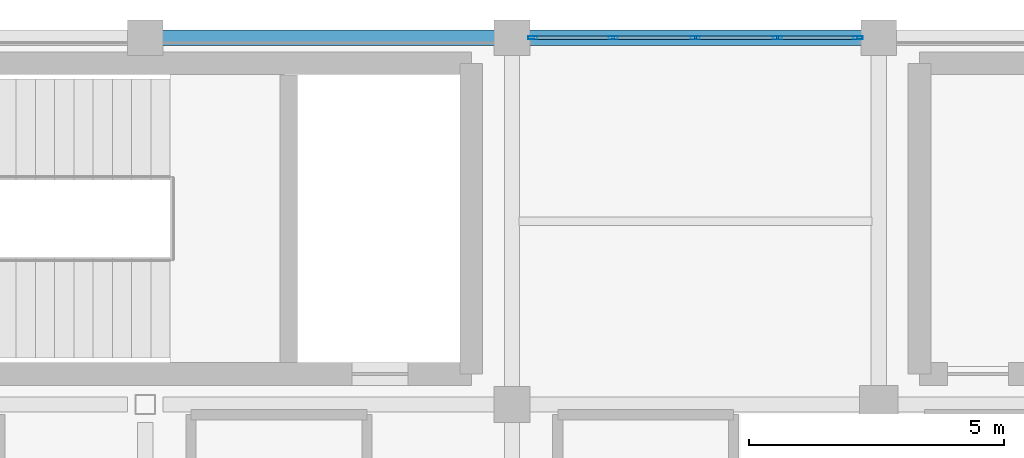
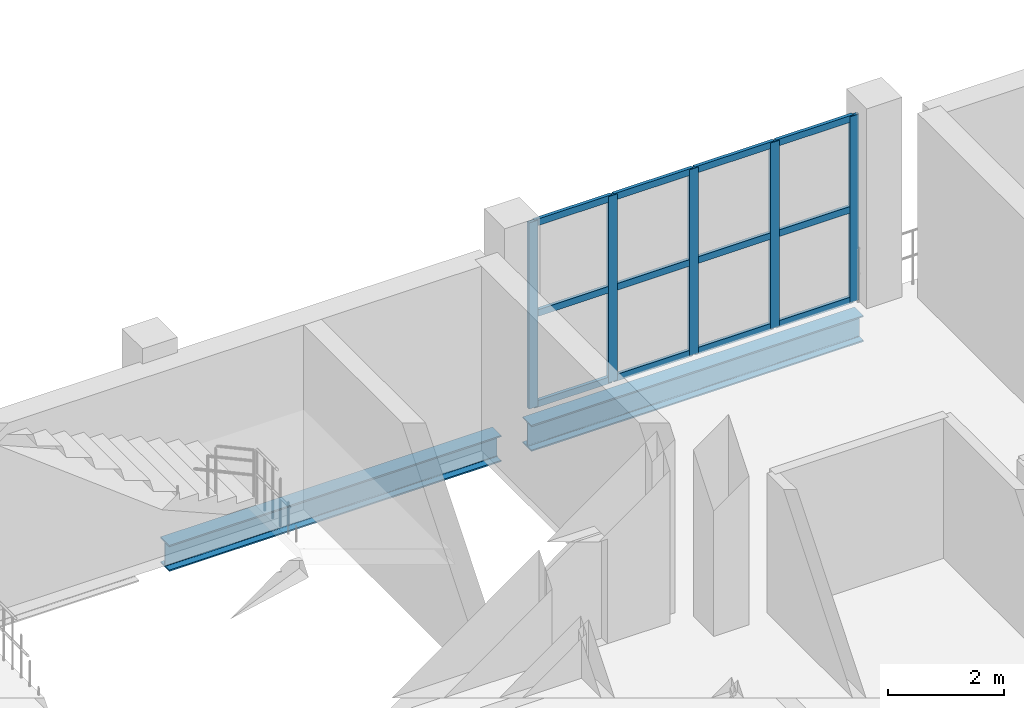
# One storey, part 86 of 130: 17 members, 2 beams, 1 element without a shape of its own.
"""IFC4 building model written with IfcOpenShell, lengths in metres."""

from ifc_helpers import new_model, si_unit, direction, frame, origin, origin_2d, place, context, subcontext, project, spatial, hollow_rectangle, i_section, extrude, material, material_profile, profile_set, type_object, element, aggregate, save


model = new_model("IFC4")

# Units and contexts
model_context = context("Model", 3, precision=1e-05, world=origin(), true_north=direction((0.0, 1.0)))
body_context = subcontext(model_context, "Body", "Model", "MODEL_VIEW")
ifc_project = project(units=[si_unit("LENGTHUNIT", "METRE"), si_unit("AREAUNIT", "SQUARE_METRE"), si_unit("VOLUMEUNIT", "CUBIC_METRE"), si_unit("PLANEANGLEUNIT", "RADIAN"), si_unit("MASSUNIT", "GRAM", prefix="KILO")], contexts=[model_context])

# Site, building, storey
site_placement = place(None, origin())
site = spatial("IfcSite", under=ifc_project, at=site_placement, CompositionType="ELEMENT")
building_placement = place(site_placement, origin())
building = spatial("IfcBuilding", under=site, at=building_placement, Name="Qandorah Velis Arena", CompositionType="ELEMENT")
storey_placement = place(building_placement, frame((0.0, 0.0, 9.60009765625)))
storey = spatial("IfcBuildingStorey", under=building, at=storey_placement, Name="L02", CompositionType="ELEMENT", Elevation=9.60009765625)

# Curtain wall, members
ifc_material_1 = material(Name="Solar-control low-E double glazing", Category="glass")
curtain_wall_type = type_object("IfcCurtainWallType", Name="ARC-CW-SYS14", PredefinedType="USERDEFINED", material=ifc_material_1)
curtain_wall_placement = place(storey_placement, origin())
curtain_wall = element("IfcCurtainWall", 1, at=curtain_wall_placement, inside=storey, type_object=curtain_wall_type, Name="Unitised curtain wall L02-086", ObjectType="UNITISED CURTAIN WALL", PredefinedType="USERDEFINED")
ifc_material_2 = material(Name="Champagne-bronze anodized aluminium 6063-T6", Category="aluminium")
ifc_material_profile_1 = material_profile(ifc_material_2, hollow_rectangle(XDim=0.06494140625, YDim=0.179931640625, WallThickness=0.00341796875, at=origin_2d()), Name="ALU MULLION 65x180")
ifc_profile_set_1 = profile_set([ifc_material_profile_1], Name="Champagne-bronze anodized aluminium 6063-T6")
member_type_1 = type_object("IfcMemberType", Name="ARC-CWM-180", PredefinedType="MULLION", material=ifc_profile_set_1)
member_1_placement = place(storey_placement, frame((65.20751953125, 129.60009765625, -0.01513671875), z_axis=(0.0, 0.0, 1.0), x_axis=(0.0, 1.0, 0.0)))
member_1 = element("IfcMember", 2, at=member_1_placement, type_object=member_type_1, Name="CW14 mullion 1", PredefinedType="MULLION", context=body_context, shape_type="SweptSolid", body=[
    extrude(hollow_rectangle(XDim=0.06494140625, YDim=0.179931640625, WallThickness=0.00341796875, at=origin_2d()), origin(), (0.0, 0.0, 1.0), 3.91015625),
])
member_2_placement = place(storey_placement, frame((66.78759765625, 129.60009765625, -0.01513671875), z_axis=(0.0, 0.0, 1.0), x_axis=(0.0, 1.0, 0.0)))
member_2 = element("IfcMember", 3, at=member_2_placement, type_object=member_type_1, Name="CW14 mullion 2", PredefinedType="MULLION", context=body_context, shape_type="SweptSolid", body=[
    extrude(hollow_rectangle(XDim=0.06494140625, YDim=0.179931640625, WallThickness=0.00341796875, at=origin_2d()), origin(), (0.0, 0.0, 1.0), 3.91015625),
])
member_3_placement = place(storey_placement, frame((68.39990234375, 129.60009765625, -0.01513671875), z_axis=(0.0, 0.0, 1.0), x_axis=(0.0, 1.0, 0.0)))
member_3 = element("IfcMember", 4, at=member_3_placement, type_object=member_type_1, Name="CW14 mullion 3", PredefinedType="MULLION", context=body_context, shape_type="SweptSolid", body=[
    extrude(hollow_rectangle(XDim=0.06494140625, YDim=0.179931640625, WallThickness=0.00341796875, at=origin_2d()), origin(), (0.0, 0.0, 1.0), 3.91015625),
])
member_4_placement = place(storey_placement, frame((70.012451171875, 129.60009765625, -0.01513671875), z_axis=(0.0, 0.0, 1.0), x_axis=(0.0, 1.0, 0.0)))
member_4 = element("IfcMember", 5, at=member_4_placement, type_object=member_type_1, Name="CW14 mullion 4", PredefinedType="MULLION", context=body_context, shape_type="SweptSolid", body=[
    extrude(hollow_rectangle(XDim=0.06494140625, YDim=0.179931640625, WallThickness=0.00341796875, at=origin_2d()), origin(), (0.0, 0.0, 1.0), 3.91015625),
])
member_5_placement = place(storey_placement, frame((71.592529296875, 129.60009765625, -0.01513671875), z_axis=(0.0, 0.0, 1.0), x_axis=(0.0, 1.0, 0.0)))
member_5 = element("IfcMember", 6, at=member_5_placement, type_object=member_type_1, Name="CW14 mullion 5", PredefinedType="MULLION", context=body_context, shape_type="SweptSolid", body=[
    extrude(hollow_rectangle(XDim=0.06494140625, YDim=0.179931640625, WallThickness=0.00341796875, at=origin_2d()), origin(), (0.0, 0.0, 1.0), 3.91015625),
])
ifc_material_profile_2 = material_profile(ifc_material_2, hollow_rectangle(XDim=0.06494140625, YDim=0.139892578125, WallThickness=0.0029296875, at=origin_2d()), Name="ALU TRANSOM 65x140")
ifc_profile_set_2 = profile_set([ifc_material_profile_2], Name="Champagne-bronze anodized aluminium 6063-T6")
member_type_2 = type_object("IfcMemberType", Name="ARC-CWT-140", PredefinedType="USERDEFINED", material=ifc_profile_set_2)
member_6_placement = place(storey_placement, frame((65.22802734375, 129.60009765625, 0.032470703125), z_axis=(1.0, 0.0, 0.0), x_axis=(0.0, 1.0, 0.0)))
member_6 = element("IfcMember", 7, at=member_6_placement, type_object=member_type_2, Name="CW14 transom 1.1", ObjectType="TRANSOM", PredefinedType="USERDEFINED", context=body_context, shape_type="SweptSolid", body=[
    extrude(hollow_rectangle(XDim=0.06494140625, YDim=0.139892578125, WallThickness=0.0029296875, at=origin_2d()), origin(), (0.0, 0.0, 1.0), 1.5390625),
])
member_7_placement = place(storey_placement, frame((65.22802734375, 129.60009765625, 1.93994140625), z_axis=(1.0, 0.0, 0.0), x_axis=(0.0, 1.0, 0.0)))
member_7 = element("IfcMember", 8, at=member_7_placement, type_object=member_type_2, Name="CW14 transom 1.2", ObjectType="TRANSOM", PredefinedType="USERDEFINED", context=body_context, shape_type="SweptSolid", body=[
    extrude(hollow_rectangle(XDim=0.06494140625, YDim=0.139892578125, WallThickness=0.0029296875, at=origin_2d()), origin(), (0.0, 0.0, 1.0), 1.5390625),
])
member_8_placement = place(storey_placement, frame((65.22802734375, 129.60009765625, 3.847412109375), z_axis=(1.0, 0.0, 0.0), x_axis=(0.0, 1.0, 0.0)))
member_8 = element("IfcMember", 9, at=member_8_placement, type_object=member_type_2, Name="CW14 transom 1.3", ObjectType="TRANSOM", PredefinedType="USERDEFINED", context=body_context, shape_type="SweptSolid", body=[
    extrude(hollow_rectangle(XDim=0.06494140625, YDim=0.139892578125, WallThickness=0.0029296875, at=origin_2d()), origin(), (0.0, 0.0, 1.0), 1.5390625),
])
member_9_placement = place(storey_placement, frame((66.80810546875, 129.60009765625, 0.032470703125), z_axis=(1.0, 0.0, 0.0), x_axis=(0.0, 1.0, 0.0)))
member_9 = element("IfcMember", 10, at=member_9_placement, type_object=member_type_2, Name="CW14 transom 2.1", ObjectType="TRANSOM", PredefinedType="USERDEFINED", context=body_context, shape_type="SweptSolid", body=[
    extrude(hollow_rectangle(XDim=0.06494140625, YDim=0.139892578125, WallThickness=0.0029296875, at=origin_2d()), origin(), (0.0, 0.0, 1.0), 1.5712890625),
])
member_10_placement = place(storey_placement, frame((66.80810546875, 129.60009765625, 1.93994140625), z_axis=(1.0, 0.0, 0.0), x_axis=(0.0, 1.0, 0.0)))
member_10 = element("IfcMember", 11, at=member_10_placement, type_object=member_type_2, Name="CW14 transom 2.2", ObjectType="TRANSOM", PredefinedType="USERDEFINED", context=body_context, shape_type="SweptSolid", body=[
    extrude(hollow_rectangle(XDim=0.06494140625, YDim=0.139892578125, WallThickness=0.0029296875, at=origin_2d()), origin(), (0.0, 0.0, 1.0), 1.5712890625),
])
member_11_placement = place(storey_placement, frame((66.80810546875, 129.60009765625, 3.847412109375), z_axis=(1.0, 0.0, 0.0), x_axis=(0.0, 1.0, 0.0)))
member_11 = element("IfcMember", 12, at=member_11_placement, type_object=member_type_2, Name="CW14 transom 2.3", ObjectType="TRANSOM", PredefinedType="USERDEFINED", context=body_context, shape_type="SweptSolid", body=[
    extrude(hollow_rectangle(XDim=0.06494140625, YDim=0.139892578125, WallThickness=0.0029296875, at=origin_2d()), origin(), (0.0, 0.0, 1.0), 1.5712890625),
])
member_12_placement = place(storey_placement, frame((68.42041015625, 129.60009765625, 0.032470703125), z_axis=(1.0, 0.0, 0.0), x_axis=(0.0, 1.0, 0.0)))
member_12 = element("IfcMember", 13, at=member_12_placement, type_object=member_type_2, Name="CW14 transom 3.1", ObjectType="TRANSOM", PredefinedType="USERDEFINED", context=body_context, shape_type="SweptSolid", body=[
    extrude(hollow_rectangle(XDim=0.06494140625, YDim=0.139892578125, WallThickness=0.0029296875, at=origin_2d()), origin(), (0.0, 0.0, 1.0), 1.571533203125),
])
member_13_placement = place(storey_placement, frame((68.42041015625, 129.60009765625, 1.93994140625), z_axis=(1.0, 0.0, 0.0), x_axis=(0.0, 1.0, 0.0)))
member_13 = element("IfcMember", 14, at=member_13_placement, type_object=member_type_2, Name="CW14 transom 3.2", ObjectType="TRANSOM", PredefinedType="USERDEFINED", context=body_context, shape_type="SweptSolid", body=[
    extrude(hollow_rectangle(XDim=0.06494140625, YDim=0.139892578125, WallThickness=0.0029296875, at=origin_2d()), origin(), (0.0, 0.0, 1.0), 1.571533203125),
])
member_14_placement = place(storey_placement, frame((68.42041015625, 129.60009765625, 3.847412109375), z_axis=(1.0, 0.0, 0.0), x_axis=(0.0, 1.0, 0.0)))
member_14 = element("IfcMember", 15, at=member_14_placement, type_object=member_type_2, Name="CW14 transom 3.3", ObjectType="TRANSOM", PredefinedType="USERDEFINED", context=body_context, shape_type="SweptSolid", body=[
    extrude(hollow_rectangle(XDim=0.06494140625, YDim=0.139892578125, WallThickness=0.0029296875, at=origin_2d()), origin(), (0.0, 0.0, 1.0), 1.571533203125),
])
member_15_placement = place(storey_placement, frame((70.032958984375, 129.60009765625, 0.032470703125), z_axis=(1.0, 0.0, 0.0), x_axis=(0.0, 1.0, 0.0)))
member_15 = element("IfcMember", 16, at=member_15_placement, type_object=member_type_2, Name="CW14 transom 4.1", ObjectType="TRANSOM", PredefinedType="USERDEFINED", context=body_context, shape_type="SweptSolid", body=[
    extrude(hollow_rectangle(XDim=0.06494140625, YDim=0.139892578125, WallThickness=0.0029296875, at=origin_2d()), origin(), (0.0, 0.0, 1.0), 1.5390625),
])
member_16_placement = place(storey_placement, frame((70.032958984375, 129.60009765625, 1.93994140625), z_axis=(1.0, 0.0, 0.0), x_axis=(0.0, 1.0, 0.0)))
member_16 = element("IfcMember", 17, at=member_16_placement, type_object=member_type_2, Name="CW14 transom 4.2", ObjectType="TRANSOM", PredefinedType="USERDEFINED", context=body_context, shape_type="SweptSolid", body=[
    extrude(hollow_rectangle(XDim=0.06494140625, YDim=0.139892578125, WallThickness=0.0029296875, at=origin_2d()), origin(), (0.0, 0.0, 1.0), 1.5390625),
])
member_17_placement = place(storey_placement, frame((70.032958984375, 129.60009765625, 3.847412109375), z_axis=(1.0, 0.0, 0.0), x_axis=(0.0, 1.0, 0.0)))
member_17 = element("IfcMember", 18, at=member_17_placement, type_object=member_type_2, Name="CW14 transom 4.3", ObjectType="TRANSOM", PredefinedType="USERDEFINED", context=body_context, shape_type="SweptSolid", body=[
    extrude(hollow_rectangle(XDim=0.06494140625, YDim=0.139892578125, WallThickness=0.0029296875, at=origin_2d()), origin(), (0.0, 0.0, 1.0), 1.5390625),
])
aggregate(curtain_wall, [member_1, member_2, member_3, member_4, member_5, member_6, member_7, member_8, member_9, member_10, member_11, member_12, member_13, member_14, member_15, member_16, member_17])

# Beams
ifc_material_3 = material(Name="Steel S355", Category="steel")
ifc_material_profile_3 = material_profile(ifc_material_3, i_section(OverallWidth=0.300048828125, OverallDepth=0.550048828125, WebThickness=0.014892578125, FlangeThickness=0.029052734375, FilletRadius=0.027099609375, at=origin_2d()), Name="HEB 550")
ifc_profile_set_3 = profile_set([ifc_material_profile_3], Name="Steel S355")
beam_type = type_object("IfcBeamType", Name="STR-BM-HEB550", PredefinedType="BEAM", material=ifc_profile_set_3)
beam_1_placement = place(storey_placement, frame((57.89990234375, 129.60009765625, -0.55517578125), z_axis=(1.0, 0.0, 0.0), x_axis=(0.0, 1.0, 0.0)))
element("IfcBeam", 19, at=beam_1_placement, inside=storey, type_object=beam_type, Name="Primary floor girder L02 X-176", PredefinedType="BEAM", context=body_context, shape_type="SweptSolid", body=[
    extrude(i_section(OverallWidth=0.300048828125, OverallDepth=0.550048828125, WebThickness=0.014892578125, FlangeThickness=0.029052734375, FilletRadius=0.027099609375, at=origin_2d()), origin(), (0.0, 0.0, 1.0), 6.60009765625),
])
beam_2_placement = place(storey_placement, frame((65.10009765625, 129.60009765625, -0.55517578125), z_axis=(1.0, 0.0, 0.0), x_axis=(0.0, 1.0, 0.0)))
element("IfcBeam", 20, at=beam_2_placement, inside=storey, type_object=beam_type, Name="Primary floor girder L02 X-177", PredefinedType="BEAM", context=body_context, shape_type="SweptSolid", body=[
    extrude(i_section(OverallWidth=0.300048828125, OverallDepth=0.550048828125, WebThickness=0.014892578125, FlangeThickness=0.029052734375, FilletRadius=0.027099609375, at=origin_2d()), origin(), (0.0, 0.0, 1.0), 6.599853515625),
])

save(model, "model.ifc")
